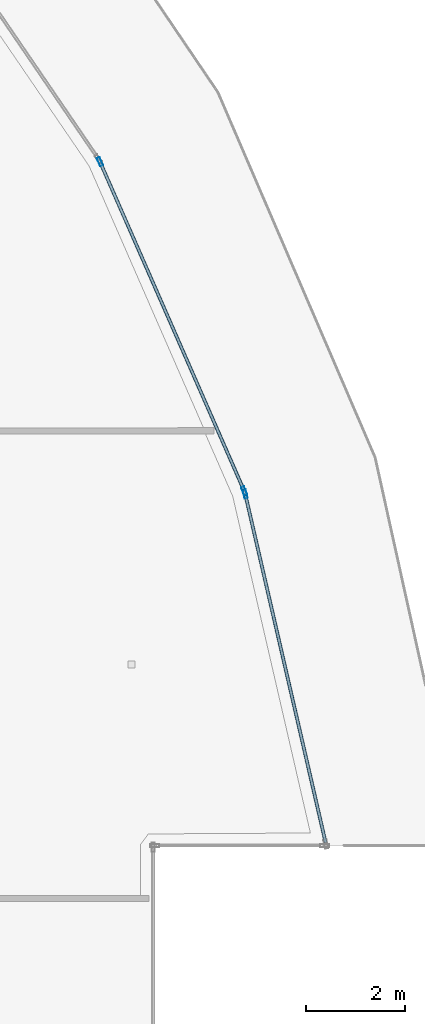
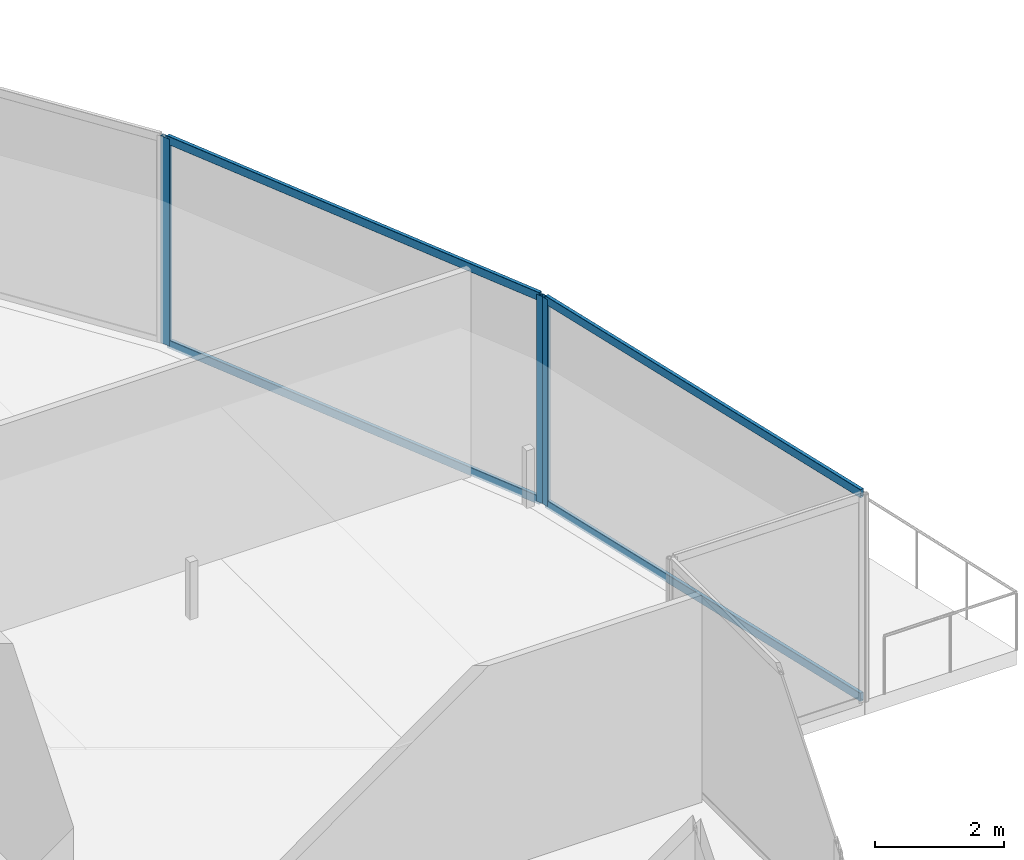
# One storey, part 26 of 45: 7 members, 2 elements without a shape of their own.
"""IFC4 building model written with IfcOpenShell, lengths in metres."""

from ifc_helpers import new_model, si_unit, direction, frame, origin, origin_2d, place, context, subcontext, project, spatial, hollow_rectangle, extrude, material, layer, layer_set, material_profile, profile_set, type_object, element, aggregate, save


model = new_model("IFC4")

# Units and contexts
model_context = context("Model", 3, precision=1e-05, world=origin(), true_north=direction((0.0, 1.0)))
body_context = subcontext(model_context, "Body", "Model", "MODEL_VIEW")
ifc_project = project(units=[si_unit("LENGTHUNIT", "METRE"), si_unit("AREAUNIT", "SQUARE_METRE"), si_unit("VOLUMEUNIT", "CUBIC_METRE"), si_unit("PLANEANGLEUNIT", "RADIAN"), si_unit("MASSUNIT", "GRAM", prefix="KILO")], contexts=[model_context])

# Site, building, storey
site_placement = place(None, origin())
site = spatial("IfcSite", under=ifc_project, at=site_placement, CompositionType="ELEMENT")
building_placement = place(site_placement, origin())
building = spatial("IfcBuilding", under=site, at=building_placement, Name="Qorvath Tower", CompositionType="ELEMENT")
storey_placement = place(building_placement, frame((0.0, 0.0, 66.0)))
storey = spatial("IfcBuildingStorey", under=building, at=storey_placement, Name="L14", CompositionType="ELEMENT", Elevation=66.0)

# Curtain wall, member
ifc_material_1 = material(Name="Anodised aluminium and triple low-E glass", Category="aluminium")
ifc_layer = layer(ifc_material_1, 0.179931640625)
ifc_layer_set = layer_set([ifc_layer], Name="CW-SYS-2")
curtain_wall_type = type_object("IfcCurtainWallType", Name="CW-SYS-2", PredefinedType="NOTDEFINED", material=ifc_layer_set)
curtain_wall_1_placement = place(storey_placement, origin())
curtain_wall_1 = element("IfcCurtainWall", 1, at=curtain_wall_1_placement, inside=storey, type_object=curtain_wall_type, Name="Curtain Wall CW-2 CW-T-L14-11.1", PredefinedType="NOTDEFINED")
ifc_material_2 = material(Name="Anodised aluminium 6063-T6", Category="aluminium")
ifc_material_profile_1 = material_profile(ifc_material_2, hollow_rectangle(XDim=0.06494140625, YDim=0.179931640625, WallThickness=0.00341796875, InnerFilletRadius=0.00341796875, OuterFilletRadius=0.007080078125, at=origin_2d()), Name="CWM 180x65")
ifc_profile_set_1 = profile_set([ifc_material_profile_1], Name="Anodised aluminium 6063-T6")
member_type_1 = type_object("IfcMemberType", Name="CWM-180", PredefinedType="MULLION", material=ifc_profile_set_1)
member_1_placement = place(storey_placement, frame((4.809326171875, 12.30712890625, 0.0), z_axis=(0.0, 0.0, 1.0), x_axis=(-0.974413360078, -0.224763439425, 0.0)))
member_1 = element("IfcMember", 2, at=member_1_placement, type_object=member_type_1, Name="CW-2 mullion 2", PredefinedType="MULLION", context=body_context, shape_type="SweptSolid", body=[
    extrude(hollow_rectangle(XDim=0.06494140625, YDim=0.179931640625, WallThickness=0.00341796875, InnerFilletRadius=0.00341796875, OuterFilletRadius=0.007080078125, at=origin_2d()), origin(), (0.0, 0.0, 1.0), 3.919921875),
])

# Curtain wall, members
curtain_wall_2_placement = place(storey_placement, origin())
curtain_wall_2 = element("IfcCurtainWall", 3, at=curtain_wall_2_placement, inside=storey, type_object=curtain_wall_type, Name="Curtain Wall CW-2 CW-T-L14-12.1", PredefinedType="NOTDEFINED")
member_2_placement = place(storey_placement, frame((4.7890625, 12.36865234375, 0.0), z_axis=(0.0, 0.0, 1.0), x_axis=(-0.915925737134, -0.401347784416, 0.0)))
member_2 = element("IfcMember", 4, at=member_2_placement, type_object=member_type_1, Name="CW-2 mullion 1", PredefinedType="MULLION", context=body_context, shape_type="SweptSolid", body=[
    extrude(hollow_rectangle(XDim=0.06494140625, YDim=0.179931640625, WallThickness=0.00341796875, InnerFilletRadius=0.00341796875, OuterFilletRadius=0.007080078125, at=origin_2d()), origin(), (0.0, 0.0, 1.0), 3.919921875),
])
member_3_placement = place(storey_placement, frame((1.8857421875, 18.993896484375, 0.0), z_axis=(0.0, 0.0, 1.0), x_axis=(-0.915925737134, -0.401347784416, 0.0)))
member_3 = element("IfcMember", 5, at=member_3_placement, type_object=member_type_1, Name="CW-2 mullion 2", PredefinedType="MULLION", context=body_context, shape_type="SweptSolid", body=[
    extrude(hollow_rectangle(XDim=0.06494140625, YDim=0.179931640625, WallThickness=0.00341796875, InnerFilletRadius=0.00341796875, OuterFilletRadius=0.007080078125, at=origin_2d()), origin(), (0.0, 0.0, 1.0), 3.919921875),
])

# Member
ifc_material_3 = material(Name="Anodised aluminium 6063-T6", Category="aluminium")
ifc_material_profile_2 = material_profile(ifc_material_3, hollow_rectangle(XDim=0.06494140625, YDim=0.159912109375, WallThickness=0.00341796875, InnerFilletRadius=0.00341796875, OuterFilletRadius=0.007080078125, at=origin_2d()), Name="CWT 160x65")
ifc_profile_set_2 = profile_set([ifc_material_profile_2], Name="Anodised aluminium 6063-T6")
member_type_2 = type_object("IfcMemberType", Name="CWT-160", PredefinedType="USERDEFINED", material=ifc_profile_set_2)
member_4_placement = place(storey_placement, frame((6.427734375, 5.29052734375, 0.032470703125), z_axis=(-0.224745087436, 0.974417593064, 0.0), x_axis=(-0.974417593064, -0.224745087436, 0.0)))
member_4 = element("IfcMember", 6, at=member_4_placement, type_object=member_type_2, Name="CW-2 transom 1.1", ObjectType="TRANSOM", PredefinedType="USERDEFINED", context=body_context, shape_type="SweptSolid", body=[
    extrude(hollow_rectangle(XDim=0.06494140625, YDim=0.159912109375, WallThickness=0.00341796875, InnerFilletRadius=0.00341796875, OuterFilletRadius=0.007080078125, at=origin_2d()), origin(), (0.0, 0.0, 1.0), 7.16845703125),
])

member_5_placement = place(storey_placement, frame((6.427734375, 5.29052734375, 3.887451171875), z_axis=(-0.224745087436, 0.974417593064, 0.0), x_axis=(-0.974417593064, -0.224745087436, 0.0)))
member_5 = element("IfcMember", 7, at=member_5_placement, type_object=member_type_2, Name="CW-2 transom 1.2", ObjectType="TRANSOM", PredefinedType="USERDEFINED", context=body_context, shape_type="SweptSolid", body=[
    extrude(hollow_rectangle(XDim=0.06494140625, YDim=0.159912109375, WallThickness=0.00341796875, InnerFilletRadius=0.00341796875, OuterFilletRadius=0.007080078125, at=origin_2d()), origin(), (0.0, 0.0, 1.0), 7.16845703125),
])

aggregate(curtain_wall_1, [member_1, member_4, member_5])

member_6_placement = place(storey_placement, frame((4.77587890625, 12.3984375, 0.032470703125), z_axis=(-0.401342260433, 0.915928157658, 0.0), x_axis=(-0.915928157658, -0.401342260433, 0.0)))
member_6 = element("IfcMember", 8, at=member_6_placement, type_object=member_type_2, Name="CW-2 transom 1.1", ObjectType="TRANSOM", PredefinedType="USERDEFINED", context=body_context, shape_type="SweptSolid", body=[
    extrude(hollow_rectangle(XDim=0.06494140625, YDim=0.159912109375, WallThickness=0.00341796875, InnerFilletRadius=0.00341796875, OuterFilletRadius=0.007080078125, at=origin_2d()), origin(), (0.0, 0.0, 1.0), 7.168212890625),
])

member_7_placement = place(storey_placement, frame((4.77587890625, 12.3984375, 3.887451171875), z_axis=(-0.401342260433, 0.915928157658, 0.0), x_axis=(-0.915928157658, -0.401342260433, 0.0)))
member_7 = element("IfcMember", 9, at=member_7_placement, type_object=member_type_2, Name="CW-2 transom 1.2", ObjectType="TRANSOM", PredefinedType="USERDEFINED", context=body_context, shape_type="SweptSolid", body=[
    extrude(hollow_rectangle(XDim=0.06494140625, YDim=0.159912109375, WallThickness=0.00341796875, InnerFilletRadius=0.00341796875, OuterFilletRadius=0.007080078125, at=origin_2d()), origin(), (0.0, 0.0, 1.0), 7.168212890625),
])

aggregate(curtain_wall_2, [member_2, member_3, member_6, member_7])

save(model, "model.ifc")
